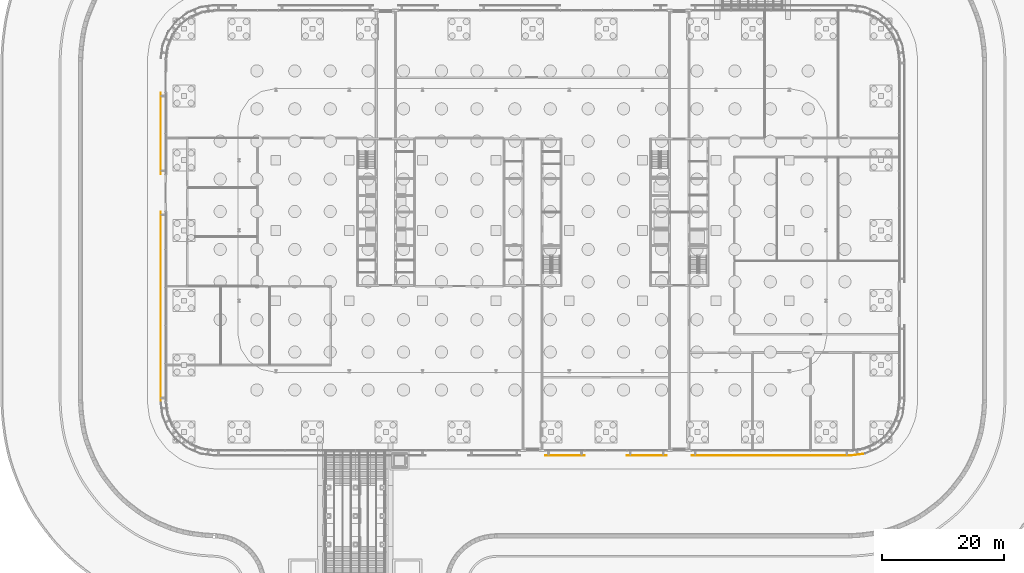
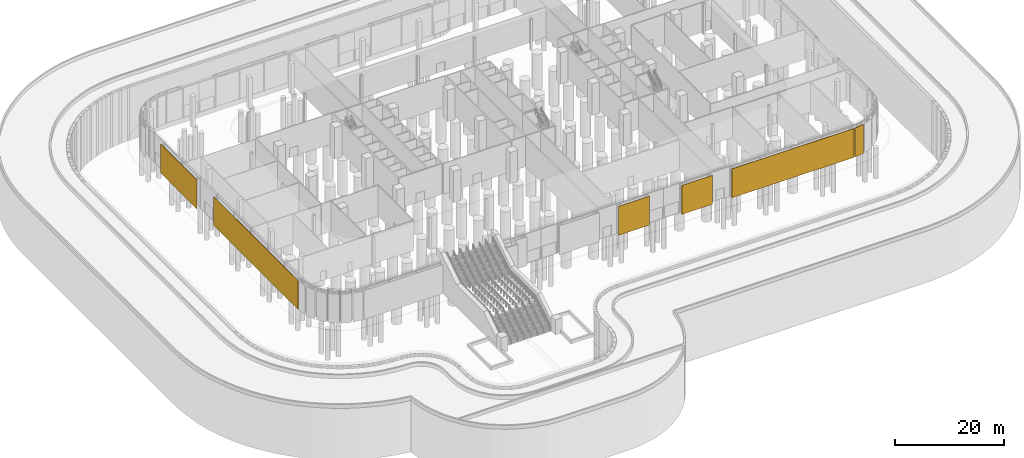
# One storey, part 38 of 48: 6 coverings.
"""IFC4 building model written with IfcOpenShell, lengths in metres."""

from ifc_helpers import new_model, si_unit, direction, frame, origin, origin_2d, place, context, subcontext, project, spatial, rectangle, extrude, material, layer, layer_set, type_object, element, save


model = new_model("IFC4")

# Units and contexts
model_context = context("Model", 3, precision=1e-05, world=origin(), true_north=direction((0.0, 1.0)))
body_context = subcontext(model_context, "Body", "Model", "MODEL_VIEW")
ifc_project = project(units=[si_unit("LENGTHUNIT", "METRE"), si_unit("AREAUNIT", "SQUARE_METRE"), si_unit("VOLUMEUNIT", "CUBIC_METRE"), si_unit("PLANEANGLEUNIT", "RADIAN"), si_unit("MASSUNIT", "GRAM", prefix="KILO")], contexts=[model_context])

# Site, building, storey
site_placement = place(None, origin())
site = spatial("IfcSite", under=ifc_project, at=site_placement, CompositionType="ELEMENT")
building_placement = place(site_placement, origin())
building = spatial("IfcBuilding", under=site, at=building_placement, Name="Mahtab Terrace Research Tower", CompositionType="ELEMENT")
storey_placement = place(building_placement, origin())
storey = spatial("IfcBuildingStorey", under=building, at=storey_placement, Name="G", CompositionType="ELEMENT", Elevation=0.0)

# Coverings
ifc_material = material(Name="Bronze anodised aluminium", Category="aluminium")
ifc_layer = layer(ifc_material, 0.06005859375)
ifc_layer_set = layer_set([ifc_layer], Name="Ground facade girih screen panel")
covering_type = type_object("IfcCoveringType", Name="Ground facade girih screen panel", PredefinedType="CLADDING", material=ifc_layer_set)
covering_1_placement = place(storey_placement, frame((-60.830078125, 15.875, 0.10009765625), z_axis=(0.0, 0.0, 1.0), x_axis=(0.0, -1.0, 0.0)))
element("IfcCovering", 1, at=covering_1_placement, inside=storey, type_object=covering_type, Name="Girih screen ground W3", PredefinedType="CLADDING", context=body_context, shape_type="SweptSolid", body=[
    extrude(rectangle(XDim=13.35009765625, YDim=0.06005859375, at=origin_2d()), origin(), (0.0, 0.0, 1.0), 6.5),
])
covering_2_placement = place(storey_placement, frame((-60.830078125, -12.425048828125, 0.10009765625), z_axis=(0.0, 0.0, 1.0), x_axis=(0.0, -1.0, 0.0)))
element("IfcCovering", 2, at=covering_2_placement, inside=storey, type_object=covering_type, Name="Girih screen ground W5", PredefinedType="CLADDING", context=body_context, shape_type="SweptSolid", body=[
    extrude(rectangle(XDim=31.050048828125, YDim=0.06005859375, at=origin_2d()), origin(), (0.0, 0.0, 1.0), 6.5),
])
for number, where, z_axis, x_axis, name in (
    (3, (5.300048828125, -36.830078125, 0.10009765625), (0.0, 0.0, 1.0), (1.0, 0.0, 0.0), "Girih screen ground S6"),
    (4, (18.699951171875, -36.830078125, 0.10009765625), (0.0, 0.0, 1.0), (1.0, 0.0, 0.0), "Girih screen ground S9"),
):
    element("IfcCovering", number, at=place(storey_placement, frame(where, z_axis=z_axis, x_axis=x_axis)), inside=storey, type_object=covering_type, Name=name, PredefinedType="CLADDING", context=body_context, shape_type="SweptSolid", body=[
        extrude(rectangle(XDim=6.5, YDim=0.06005859375, at=origin_2d()), origin(), (0.0, 0.0, 1.0), 6.5),
    ])
covering_3_placement = place(storey_placement, frame((39.0, -36.830078125, 0.10009765625), z_axis=(0.0, 0.0, 1.0), x_axis=(1.0, 0.0, 0.0)))
element("IfcCovering", 5, at=covering_3_placement, inside=storey, type_object=covering_type, Name="Girih screen ground S11", PredefinedType="CLADDING", context=body_context, shape_type="SweptSolid", body=[
    extrude(rectangle(XDim=25.89990234375, YDim=0.06005859375, at=origin_2d()), origin(), (0.0, 0.0, 1.0), 6.5),
])
covering_4_placement = place(storey_placement, frame((53.14404296875, -36.686279296875, 0.10009765625), z_axis=(0.0, 0.0, 1.0), x_axis=(0.991423309059, 0.130689793992, 0.0)))
element("IfcCovering", 6, at=covering_4_placement, inside=storey, type_object=covering_type, Name="Girih screen ground S1", PredefinedType="CLADDING", context=body_context, shape_type="SweptSolid", body=[
    extrude(rectangle(XDim=1.989013671875, YDim=0.06005859375, at=origin_2d()), origin(), (0.0, 0.0, 1.0), 6.5),
])

save(model, "model.ifc")
